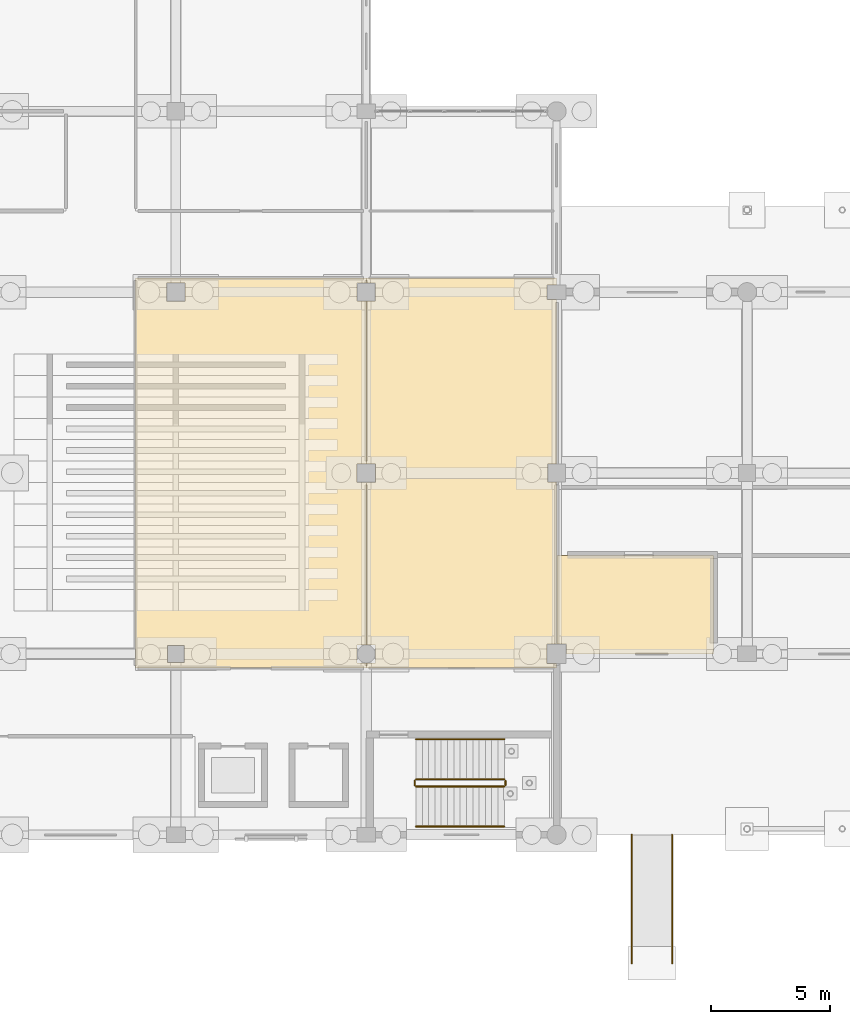
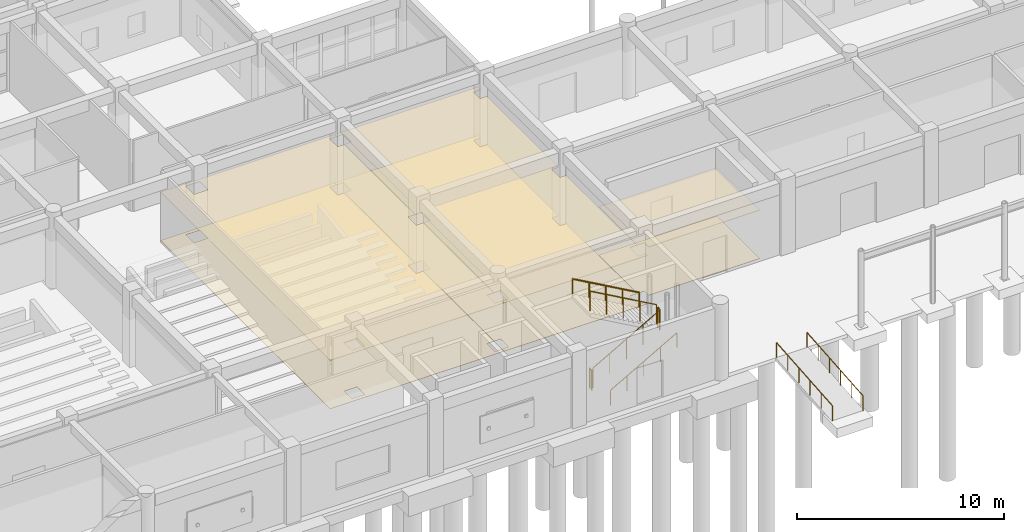
# One storey, part 152 of 166: 8 railings, 6 coverings.
"""IFC4 building model written with IfcOpenShell, lengths in metres."""

import ifcopenshell
import ifcopenshell.guid

model = None  # the IFC model being written
_history = None  # IfcOwnerHistory: only IFC2X3 demands one
_inside = {}  # id of a spatial element -> (the spatial element, [elements in it])
_under = {}  # id of a project, library or spatial element -> (it, [spatial elements below it])
_declared = {}  # id of a project -> (the project, [libraries it declares])
_typed = {}  # id of a type object -> (the type object, [elements of that type])
_made_of = {}  # id of a material, layer set ... -> (it, [elements and type objects made of it])


def new_model(schema):
    """Start an empty IFC model of exactly this schema.

    Asked for "IFC4X3", IfcOpenShell would pick the latest addendum, in which some entities
    have other attributes; the version numbers below select the first issue.
    IFC2X3 requires an IfcOwnerHistory on every rooted entity: one is made here for all.
    """
    global model, _history
    if schema == "IFC4X3":
        model = ifcopenshell.file(schema_version=(4, 3, 0, 0))
    else:
        model = ifcopenshell.file(schema=schema)
    _inside.clear()
    _under.clear()
    _declared.clear()
    _typed.clear()
    _made_of.clear()
    _history = None
    if model.schema == "IFC2X3":
        org = make("IfcOrganization", Name="unknown")
        user = make(
            "IfcPersonAndOrganization",
            ThePerson=make("IfcPerson", FamilyName="unknown"),
            TheOrganization=org,
        )
        app = make(
            "IfcApplication",
            ApplicationDeveloper=org,
            Version="unknown",
            ApplicationFullName="unknown",
            ApplicationIdentifier="unknown",
        )
        _history = make(
            "IfcOwnerHistory",
            OwningUser=user,
            OwningApplication=app,
            ChangeAction="ADDED",
            CreationDate=0,
        )
    return model


def make(cls, **values):
    """One entity of the class cls with the attributes given. An attribute that is None is left unset."""
    return model.create_entity(
        cls, **{name: value for name, value in values.items() if value is not None}
    )


def rooted(cls, **values):
    """An entity with a GlobalId (a new one), such as an element, a storey or a relation."""
    return make(cls, GlobalId=ifcopenshell.guid.new(), OwnerHistory=_history, **values)


def si_unit(unit_type, name, prefix=None):
    """IfcSIUnit, for example si_unit("LENGTHUNIT", "METRE", prefix="MILLI")."""
    return make("IfcSIUnit", UnitType=unit_type, Prefix=prefix, Name=name)


def assignment(units):
    """IfcUnitAssignment: the units of a project."""
    return None if units is None else make("IfcUnitAssignment", Units=units)


def point(xyz):
    """IfcCartesianPoint."""
    return None if xyz is None else make("IfcCartesianPoint", Coordinates=xyz)


def direction(xyz):
    """IfcDirection."""
    return None if xyz is None else make("IfcDirection", DirectionRatios=xyz)


def frame(location, z_axis=None, x_axis=None):
    """IfcAxis2Placement3D, a coordinate frame: its origin and axes. An axis left out is left unset."""
    return make(
        "IfcAxis2Placement3D",
        Location=point(location),
        Axis=direction(z_axis),
        RefDirection=direction(x_axis),
    )


def frame_2d(location, x_axis=None):
    """IfcAxis2Placement2D, a coordinate frame in the plane: its origin and x axis."""
    return make(
        "IfcAxis2Placement2D", Location=point(location), RefDirection=direction(x_axis)
    )


def origin():
    """The frame at (0, 0, 0) with its axes left unset."""
    return frame((0.0, 0.0, 0.0))


def origin_2d():
    """The frame at (0, 0) in the plane with its x axis left unset."""
    return frame_2d((0.0, 0.0))


def place(relative_to, where):
    """IfcLocalPlacement: puts the frame where relative to a parent placement (None: the world)."""
    return make(
        "IfcLocalPlacement", PlacementRelTo=relative_to, RelativePlacement=where
    )


def context(
    kind, dimensions, precision=None, world=None, true_north=None, identifier=None
):
    """IfcGeometricRepresentationContext, for example the 3D "Model" context."""
    return make(
        "IfcGeometricRepresentationContext",
        ContextIdentifier=identifier,
        ContextType=kind,
        CoordinateSpaceDimension=dimensions,
        Precision=precision,
        WorldCoordinateSystem=world,
        TrueNorth=true_north,
    )


def subcontext(parent, identifier, kind, view, scale=None):
    """IfcGeometricRepresentationSubContext, for example "Body" below "Model"."""
    return make(
        "IfcGeometricRepresentationSubContext",
        ContextIdentifier=identifier,
        ContextType=kind,
        ParentContext=parent,
        TargetScale=scale,
        TargetView=view,
    )


def project(units=None, contexts=None):
    """IfcProject with its units and contexts."""
    return rooted(
        "IfcProject",
        Name="project",
        RepresentationContexts=contexts,
        UnitsInContext=assignment(units),
    )


def spatial(cls, under=None, at=None, **own):
    """A site, building, storey or space (cls), placed at a placement, below another one or the project."""
    s = rooted(cls, ObjectPlacement=at, **own)
    if under is not None:
        _under.setdefault(under.id(), (under, []))[1].append(s)
    return s


def polyline(points):
    """IfcPolyline through the points."""
    return make("IfcPolyline", Points=[point(p) for p in points])


def profile(cls, at=None, kind="AREA", **sizes):
    """A parametric profile (cls). Its sizes go by their IFC names, for example OverallWidth=200.0."""
    return make(cls, ProfileType=kind, Position=at, **sizes)


def circle(**sizes):
    """IfcCircleProfileDef."""
    return profile("IfcCircleProfileDef", **sizes)


def outline(outer, holes=None, kind="AREA"):
    """IfcArbitraryClosedProfileDef: a profile drawn as a closed curve; with holes, ...WithVoids."""
    if holes is None:
        return make("IfcArbitraryClosedProfileDef", ProfileType=kind, OuterCurve=outer)
    return make(
        "IfcArbitraryProfileDefWithVoids",
        ProfileType=kind,
        OuterCurve=outer,
        InnerCurves=holes,
    )


def extrude(swept, where, along, depth):
    """IfcExtrudedAreaSolid: the profile swept, set in the frame where, extruded along a direction by depth."""
    return make(
        "IfcExtrudedAreaSolid",
        SweptArea=swept,
        Position=where,
        ExtrudedDirection=direction(along),
        Depth=depth,
    )


def shape(context_of_items, identifier, shape_type, items):
    """IfcShapeRepresentation: the items that make up one representation, for example the "Body"."""
    return make(
        "IfcShapeRepresentation",
        ContextOfItems=context_of_items,
        RepresentationIdentifier=identifier,
        RepresentationType=shape_type,
        Items=items,
    )


def material(Name=None, Category=None):
    """IfcMaterial."""
    return make("IfcMaterial", Name=Name, Category=Category)


def layer(
    of_material, thickness, ventilated=None, Name=None, Category=None, Priority=None
):
    """IfcMaterialLayer: one layer of a wall or slab, of a material (None: an air gap)."""
    return make(
        "IfcMaterialLayer",
        Material=of_material,
        LayerThickness=thickness,
        IsVentilated=ventilated,
        Name=Name,
        Category=Category,
        Priority=Priority,
    )


def layer_set(layers, Name=None):
    """IfcMaterialLayerSet."""
    return make("IfcMaterialLayerSet", MaterialLayers=layers, LayerSetName=Name)


def made_of(thing, what):
    """Note that an element or type object is made of a material, layer set ...; save() writes the relation."""
    if what is not None:
        _made_of.setdefault(what.id(), (what, []))[1].append(thing)
    return thing


def type_object(cls, material=None, **own):
    """A type object (cls), such as IfcWallType, which elements share."""
    return made_of(rooted(cls, **own), material)


def element(
    cls,
    number,
    at=None,
    inside=None,
    cuts=None,
    type_object=None,
    material=None,
    context=None,
    identifier="Body",
    shape_type=None,
    held_by="IfcProductDefinitionShape",
    body=None,
    shapes=None,
    **own,
):
    """One element of the class cls, such as IfcWall. Its Tag is "e" and its number.

    at: its placement. inside: the storey or other place that contains it. cuts: it is an
    opening in that element (IfcRelVoidsElement). A single representation is given by context,
    identifier, shape_type and body (its items); several are given by shapes. held_by: the class
    of the entity that holds the representations. save() writes the other relations.
    """
    e = rooted(cls, Tag="e%d" % number, ObjectPlacement=at, **own)
    if body is not None:
        shapes = [shape(context, identifier, shape_type, body)]
    if shapes is not None:
        e.Representation = make(held_by, Representations=shapes)
    if inside is not None:
        _inside.setdefault(inside.id(), (inside, []))[1].append(e)
    if cuts is not None:
        rooted(
            "IfcRelVoidsElement", RelatingBuildingElement=cuts, RelatedOpeningElement=e
        )
    if type_object is not None:
        _typed.setdefault(type_object.id(), (type_object, []))[1].append(e)
    return made_of(e, material)


def aggregate(whole, parts):
    """IfcRelAggregates: a whole, such as a stair, and the parts it consists of."""
    return rooted("IfcRelAggregates", RelatingObject=whole, RelatedObjects=parts)


def save(model, path):
    """Write the relations noted so far, then the file.

    IfcRelAggregates (storeys below a building ...), IfcRelContainedInSpatialStructure (elements
    in a storey), IfcRelDefinesByType, IfcRelAssociatesMaterial and IfcRelDeclares: one each for
    every whole, place, type object, material and project.
    """
    for whole, parts in _under.values():
        aggregate(whole, parts)
    for where, things in _inside.values():
        rooted(
            "IfcRelContainedInSpatialStructure",
            RelatedElements=things,
            RelatingStructure=where,
        )
    for kind, things in _typed.values():
        rooted("IfcRelDefinesByType", RelatedObjects=things, RelatingType=kind)
    for what, things in _made_of.values():
        rooted("IfcRelAssociatesMaterial", RelatedObjects=things, RelatingMaterial=what)
    for by, libraries in _declared.values():
        rooted("IfcRelDeclares", RelatingContext=by, RelatedDefinitions=libraries)
    model.write(path)


model = new_model("IFC4")

# Units and contexts
model_context = context("Model", 3, precision=1e-05, world=origin(), true_north=direction((0.0, 1.0)))
body_context = subcontext(model_context, "Body", "Model", "MODEL_VIEW")
ifc_project = project(units=[si_unit("LENGTHUNIT", "METRE"), si_unit("AREAUNIT", "SQUARE_METRE"), si_unit("VOLUMEUNIT", "CUBIC_METRE"), si_unit("PLANEANGLEUNIT", "RADIAN"), si_unit("MASSUNIT", "GRAM", prefix="KILO")], contexts=[model_context])

# Site, building, storey
site_placement = place(None, origin())
site = spatial("IfcSite", under=ifc_project, at=site_placement, CompositionType="ELEMENT")
building_placement = place(site_placement, origin())
building = spatial("IfcBuilding", under=site, at=building_placement, Name="Kharva Crest Polytechnic", CompositionType="ELEMENT")
storey_placement = place(building_placement, origin())
storey = spatial("IfcBuildingStorey", under=building, at=storey_placement, Name="L00", CompositionType="ELEMENT", Elevation=0.0)

# Coverings
ifc_material_1 = material(Name="Acoustic mineral board")
ifc_layer_1 = layer(ifc_material_1, 0.02490234375, Name="Acoustic mineral board")
ifc_layer_set_1 = layer_set([ifc_layer_1], Name="Acoustic mineral board")
covering_type_1 = type_object("IfcCoveringType", Name="COV-CLG-ACOUSTIC", PredefinedType="CEILING", material=ifc_layer_set_1)
covering_1_placement = place(storey_placement, frame((0.0, 0.0, 2.85009765625)))
element("IfcCovering", 1, at=covering_1_placement, inside=storey, type_object=covering_type_1, Name="L00 Lecture Theatre 3 Acoustic Ceiling", PredefinedType="CEILING", context=body_context, shape_type="SweptSolid", body=[
    extrude(outline(polyline([(48.0, 23.179931640625), (47.6201171875, 23.179931640625), (47.6201171875, 22.419921875), (48.0, 22.419921875), (48.0, 15.590087890625), (47.610107421875, 15.590087890625), (47.610107421875, 14.81005859375), (48.0, 14.81005859375), (48.0, 7.985107421875), (47.614990234375, 7.985107421875), (47.614990234375, 7.215087890625), (48.0, 7.215087890625), (48.0, 7.010009765625), (38.31005859375, 7.010009765625), (38.31005859375, 23.389892578125), (48.0, 23.389892578125), (48.0, 23.179931640625)]), holes=[polyline([(39.639892578125, 7.9599609375), (39.639892578125, 7.239990234375), (40.360107421875, 7.239990234375), (40.360107421875, 7.9599609375), (39.639892578125, 7.9599609375)]), polyline([(40.389892578125, 23.18994140625), (39.610107421875, 23.18994140625), (39.610107421875, 22.409912109375), (40.389892578125, 22.409912109375), (40.389892578125, 23.18994140625)])]), origin(), (0.0, 0.0, 1.0), 0.02490234375),
])
covering_2_placement = place(storey_placement, frame((0.0, 0.0, 2.85009765625)))
element("IfcCovering", 2, at=covering_2_placement, inside=storey, type_object=covering_type_1, Name="L00 AV Preparation Seminar Room Acoustic Ceiling", PredefinedType="CEILING", context=body_context, shape_type="SweptSolid", body=[
    extrude(outline(polyline([(48.385009765625, 7.215087890625), (48.385009765625, 7.985107421875), (48.010009765625, 7.985107421875), (48.010009765625, 14.81005859375), (48.389892578125, 14.81005859375), (48.389892578125, 15.590087890625), (48.010009765625, 15.590087890625), (48.010009765625, 22.419921875), (48.3798828125, 22.419921875), (48.3798828125, 23.179931640625), (48.010009765625, 23.179931640625), (48.010009765625, 23.389892578125), (56.0, 23.389892578125), (56.0, 23.110107421875), (55.60009765625, 23.110107421875), (55.60009765625, 22.489990234375), (56.0, 22.489990234375), (56.0, 15.580078125), (55.6201171875, 15.580078125), (55.6201171875, 14.820068359375), (56.0, 14.820068359375), (56.0, 14.610107421875), (55.9990234375, 14.610107421875), (55.998046875, 14.60986328125), (55.9970703125, 14.609619140625), (55.99609375, 14.609130859375), (55.995361328125, 14.60888671875), (55.994384765625, 14.6083984375), (55.99365234375, 14.607666015625), (55.992919921875, 14.607177734375), (55.9921875, 14.606201171875), (55.99169921875, 14.605712890625), (55.9912109375, 14.604736328125), (55.99072265625, 14.603759765625), (55.990478515625, 14.602783203125), (55.990234375, 14.60205078125), (55.989990234375, 14.60107421875), (55.989990234375, 14.60009765625), (55.989990234375, 11.75), (55.989990234375, 11.7490234375), (55.990234375, 11.748046875), (55.990478515625, 11.7470703125), (55.99072265625, 11.74609375), (55.9912109375, 11.745361328125), (55.99169921875, 11.744384765625), (55.9921875, 11.74365234375), (55.992919921875, 11.742919921875), (55.99365234375, 11.7421875), (55.994384765625, 11.74169921875), (55.995361328125, 11.7412109375), (55.99609375, 11.74072265625), (55.9970703125, 11.740478515625), (55.998046875, 11.740234375), (55.9990234375, 11.739990234375), (56.0, 11.739990234375), (56.0, 8.010009765625), (55.590087890625, 8.010009765625), (55.590087890625, 7.18994140625), (56.0, 7.18994140625), (56.0, 7.010009765625), (48.010009765625, 7.010009765625), (48.010009765625, 7.215087890625), (48.385009765625, 7.215087890625)])), origin(), (0.0, 0.0, 1.0), 0.02490234375),
])
covering_3_placement = place(storey_placement, frame((0.0, 0.0, 2.85009765625)))
element("IfcCovering", 3, at=covering_3_placement, inside=storey, type_object=covering_type_1, Name="L00 Fire Command Centre Acoustic Ceiling", PredefinedType="CEILING", context=body_context, shape_type="SweptSolid", body=[
    extrude(outline(polyline([(62.60009765625, 7.60009765625), (56.409912109375, 7.60009765625), (56.409912109375, 8.010009765625), (56.010009765625, 8.010009765625), (56.010009765625, 11.739990234375), (62.60009765625, 11.739990234375), (62.60009765625, 7.60009765625)])), origin(), (0.0, 0.0, 1.0), 0.02490234375),
])
ifc_material_2 = material(Name="Terrazzo tile")
ifc_layer_2 = layer(ifc_material_2, 0.02001953125, Name="Terrazzo tile")
ifc_layer_set_2 = layer_set([ifc_layer_2], Name="Terrazzo tile")
covering_type_2 = type_object("IfcCoveringType", Name="COV-FLR-TERRAZZO", PredefinedType="FLOORING", material=ifc_layer_set_2)
covering_4_placement = place(storey_placement, origin())
element("IfcCovering", 4, at=covering_4_placement, inside=storey, type_object=covering_type_2, Name="L00 Lecture Theatre 3 Terrazzo Flooring", PredefinedType="FLOORING", context=body_context, shape_type="SweptSolid", body=[
    extrude(outline(polyline([(48.0, 23.179931640625), (47.6201171875, 23.179931640625), (47.6201171875, 22.419921875), (48.0, 22.419921875), (48.0, 15.590087890625), (47.610107421875, 15.590087890625), (47.610107421875, 14.81005859375), (48.0, 14.81005859375), (48.0, 7.985107421875), (47.614990234375, 7.985107421875), (47.614990234375, 7.215087890625), (48.0, 7.215087890625), (48.0, 7.010009765625), (38.31005859375, 7.010009765625), (38.31005859375, 23.389892578125), (48.0, 23.389892578125), (48.0, 23.179931640625)]), holes=[polyline([(39.639892578125, 7.9599609375), (39.639892578125, 7.239990234375), (40.360107421875, 7.239990234375), (40.360107421875, 7.9599609375), (39.639892578125, 7.9599609375)]), polyline([(40.389892578125, 23.18994140625), (39.610107421875, 23.18994140625), (39.610107421875, 22.409912109375), (40.389892578125, 22.409912109375), (40.389892578125, 23.18994140625)])]), origin(), (0.0, 0.0, 1.0), 0.02001953125),
])
covering_5_placement = place(storey_placement, origin())
element("IfcCovering", 5, at=covering_5_placement, inside=storey, type_object=covering_type_2, Name="L00 AV Preparation Seminar Room Terrazzo Flooring", PredefinedType="FLOORING", context=body_context, shape_type="SweptSolid", body=[
    extrude(outline(polyline([(48.385009765625, 7.215087890625), (48.385009765625, 7.985107421875), (48.010009765625, 7.985107421875), (48.010009765625, 14.81005859375), (48.389892578125, 14.81005859375), (48.389892578125, 15.590087890625), (48.010009765625, 15.590087890625), (48.010009765625, 22.419921875), (48.3798828125, 22.419921875), (48.3798828125, 23.179931640625), (48.010009765625, 23.179931640625), (48.010009765625, 23.389892578125), (56.0, 23.389892578125), (56.0, 23.110107421875), (55.60009765625, 23.110107421875), (55.60009765625, 22.489990234375), (56.0, 22.489990234375), (56.0, 15.580078125), (55.6201171875, 15.580078125), (55.6201171875, 14.820068359375), (56.0, 14.820068359375), (56.0, 14.610107421875), (55.9990234375, 14.610107421875), (55.998046875, 14.60986328125), (55.9970703125, 14.609619140625), (55.99609375, 14.609130859375), (55.995361328125, 14.60888671875), (55.994384765625, 14.6083984375), (55.99365234375, 14.607666015625), (55.992919921875, 14.607177734375), (55.9921875, 14.606201171875), (55.99169921875, 14.605712890625), (55.9912109375, 14.604736328125), (55.99072265625, 14.603759765625), (55.990478515625, 14.602783203125), (55.990234375, 14.60205078125), (55.989990234375, 14.60107421875), (55.989990234375, 14.60009765625), (55.989990234375, 11.75), (55.989990234375, 11.7490234375), (55.990234375, 11.748046875), (55.990478515625, 11.7470703125), (55.99072265625, 11.74609375), (55.9912109375, 11.745361328125), (55.99169921875, 11.744384765625), (55.9921875, 11.74365234375), (55.992919921875, 11.742919921875), (55.99365234375, 11.7421875), (55.994384765625, 11.74169921875), (55.995361328125, 11.7412109375), (55.99609375, 11.74072265625), (55.9970703125, 11.740478515625), (55.998046875, 11.740234375), (55.9990234375, 11.739990234375), (56.0, 11.739990234375), (56.0, 8.010009765625), (55.590087890625, 8.010009765625), (55.590087890625, 7.18994140625), (56.0, 7.18994140625), (56.0, 7.010009765625), (48.010009765625, 7.010009765625), (48.010009765625, 7.215087890625), (48.385009765625, 7.215087890625)])), origin(), (0.0, 0.0, 1.0), 0.02001953125),
])
covering_6_placement = place(storey_placement, origin())
element("IfcCovering", 6, at=covering_6_placement, inside=storey, type_object=covering_type_2, Name="L00 Fire Command Centre Terrazzo Flooring", PredefinedType="FLOORING", context=body_context, shape_type="SweptSolid", body=[
    extrude(outline(polyline([(62.60009765625, 7.60009765625), (56.409912109375, 7.60009765625), (56.409912109375, 8.010009765625), (56.010009765625, 8.010009765625), (56.010009765625, 11.739990234375), (62.60009765625, 11.739990234375), (62.60009765625, 7.60009765625)])), origin(), (0.0, 0.0, 1.0), 0.02001953125),
])

# Railings
ifc_material_3 = material(Name="Anodised aluminium", Category="aluminium")
railing_type_1 = type_object("IfcRailingType", Name="RL-STAIR-GUARD-1200", PredefinedType="GUARDRAIL", material=ifc_material_3)
railing_1_placement = place(storey_placement, frame((50.090087890625, 2.030029296875, 0.14990234375)))
element("IfcRailing", 7, at=railing_1_placement, inside=storey, type_object=railing_type_1, Name="L00 ST-01 stair guard 1", PredefinedType="GUARDRAIL", context=body_context, shape_type="SweptSolid", body=[
    extrude(circle(Radius=0.02392578125, at=origin_2d()), frame((0.0, 0.0, 1.17578125), z_axis=(0.870244811389, 0.0, 0.492619496418), x_axis=(0.0, 1.0, 0.0)), (0.0, 0.0, 1.0), 4.26318359375),
    extrude(circle(Radius=0.02099609375, at=origin_2d()), origin(), (0.0, 0.0, 1.0), 1.15185546875),
    extrude(circle(Radius=0.02099609375, at=origin_2d()), frame((0.927490234375, 0.0, 0.52490234375)), (0.0, 0.0, 1.0), 1.15185546875),
    extrude(circle(Radius=0.02099609375, at=origin_2d()), frame((1.85498046875, 0.0, 1.050048828125)), (0.0, 0.0, 1.0), 1.15185546875),
    extrude(circle(Radius=0.02099609375, at=origin_2d()), frame((2.782470703125, 0.0, 1.5751953125)), (0.0, 0.0, 1.0), 1.15185546875),
    extrude(circle(Radius=0.02099609375, at=origin_2d()), frame((3.7099609375, 0.0, 2.10009765625)), (0.0, 0.0, 1.0), 1.15185546875),
])
railing_2_placement = place(storey_placement, frame((53.85009765625, 2.080078125, 2.25)))
element("IfcRailing", 8, at=railing_2_placement, inside=storey, type_object=railing_type_1, Name="L00 ST-01 stair guard 2", PredefinedType="GUARDRAIL", context=body_context, shape_type="SweptSolid", body=[
    extrude(circle(Radius=0.02392578125, at=origin_2d()), frame((0.0, 0.0, 1.17578125), z_axis=(0.0, 1.0, 0.0), x_axis=(-1.0, 0.0, 0.0)), (0.0, 0.0, 1.0), 0.199951171875),
    extrude(circle(Radius=0.02099609375, at=origin_2d()), origin(), (0.0, 0.0, 1.0), 1.15185546875),
    extrude(circle(Radius=0.02099609375, at=origin_2d()), frame((0.0, 0.199951171875, 0.0)), (0.0, 0.0, 1.0), 1.15185546875),
])
railing_3_placement = place(storey_placement, frame((53.800048828125, 2.330078125, 2.39990234375)))
element("IfcRailing", 9, at=railing_3_placement, inside=storey, type_object=railing_type_1, Name="L00 ST-01 stair guard 3", PredefinedType="GUARDRAIL", context=body_context, shape_type="SweptSolid", body=[
    extrude(circle(Radius=0.02392578125, at=origin_2d()), frame((0.0, 0.0, 1.17578125), z_axis=(-0.870244811389, 0.0, 0.492619496418), x_axis=(0.0, -1.0, 0.0)), (0.0, 0.0, 1.0), 4.26318359375),
    extrude(circle(Radius=0.02099609375, at=origin_2d()), origin(), (0.0, 0.0, 1.0), 1.15185546875),
    extrude(circle(Radius=0.02099609375, at=origin_2d()), frame((-0.927490234375, 0.0, 0.52490234375)), (0.0, 0.0, 1.0), 1.15185546875),
    extrude(circle(Radius=0.02099609375, at=origin_2d()), frame((-1.85498046875, 0.0, 1.050048828125)), (0.0, 0.0, 1.0), 1.15185546875),
    extrude(circle(Radius=0.02099609375, at=origin_2d()), frame((-2.782470703125, 0.0, 1.5751953125)), (0.0, 0.0, 1.0), 1.15185546875),
    extrude(circle(Radius=0.02099609375, at=origin_2d()), frame((-3.7099609375, 0.0, 2.10009765625)), (0.0, 0.0, 1.0), 1.15185546875),
])
railing_4_placement = place(storey_placement, frame((50.0400390625, 2.080078125, 0.0)))
element("IfcRailing", 10, at=railing_4_placement, inside=storey, type_object=railing_type_1, Name="L00 ST-01 stair guard 4", PredefinedType="GUARDRAIL", context=body_context, shape_type="SweptSolid", body=[
    extrude(circle(Radius=0.02392578125, at=origin_2d()), frame((0.0, 0.0, 1.17578125), z_axis=(0.0, 1.0, 0.0), x_axis=(-1.0, 0.0, 0.0)), (0.0, 0.0, 1.0), 0.199951171875),
    extrude(circle(Radius=0.02099609375, at=origin_2d()), origin(), (0.0, 0.0, 1.0), 1.15185546875),
    extrude(circle(Radius=0.02099609375, at=origin_2d()), frame((0.0, 0.199951171875, 0.0)), (0.0, 0.0, 1.0), 1.15185546875),
])
ifc_material_4 = material(Name="Teak timber", Category="wood")
railing_type_2 = type_object("IfcRailingType", Name="RL-STAIR-HAND-900", PredefinedType="HANDRAIL", material=ifc_material_4)
railing_5_placement = place(storey_placement, frame((50.090087890625, 0.35009765625, 0.14990234375)))
element("IfcRailing", 11, at=railing_5_placement, inside=storey, type_object=railing_type_2, Name="L00 ST-01 stair handrail 1", PredefinedType="HANDRAIL", context=body_context, shape_type="SweptSolid", body=[
    extrude(circle(Radius=0.02392578125, at=origin_2d()), frame((0.0, 0.0, 0.8759765625), z_axis=(0.870244811389, 0.0, 0.492619496418), x_axis=(0.0, 1.0, 0.0)), (0.0, 0.0, 1.0), 4.26318359375),
    extrude(circle(Radius=0.02099609375, at=origin_2d()), origin(), (0.0, 0.0, 1.0), 0.851806640625),
    extrude(circle(Radius=0.02099609375, at=origin_2d()), frame((0.927490234375, 0.0, 0.52490234375)), (0.0, 0.0, 1.0), 0.851806640625),
    extrude(circle(Radius=0.02099609375, at=origin_2d()), frame((1.85498046875, 0.0, 1.050048828125)), (0.0, 0.0, 1.0), 0.851806640625),
    extrude(circle(Radius=0.02099609375, at=origin_2d()), frame((2.782470703125, 0.0, 1.5751953125)), (0.0, 0.0, 1.0), 0.851806640625),
    extrude(circle(Radius=0.02099609375, at=origin_2d()), frame((3.7099609375, 0.0, 2.10009765625)), (0.0, 0.0, 1.0), 0.851806640625),
])
railing_6_placement = place(storey_placement, frame((53.800048828125, 4.010009765625, 2.39990234375)))
element("IfcRailing", 12, at=railing_6_placement, inside=storey, type_object=railing_type_2, Name="L00 ST-01 stair handrail 2", PredefinedType="HANDRAIL", context=body_context, shape_type="SweptSolid", body=[
    extrude(circle(Radius=0.02392578125, at=origin_2d()), frame((0.0, 0.0, 0.8759765625), z_axis=(-0.870244811389, 0.0, 0.492619496418), x_axis=(0.0, -1.0, 0.0)), (0.0, 0.0, 1.0), 4.26318359375),
    extrude(circle(Radius=0.02099609375, at=origin_2d()), origin(), (0.0, 0.0, 1.0), 0.851806640625),
    extrude(circle(Radius=0.02099609375, at=origin_2d()), frame((-0.927490234375, 0.0, 0.52490234375)), (0.0, 0.0, 1.0), 0.851806640625),
    extrude(circle(Radius=0.02099609375, at=origin_2d()), frame((-1.85498046875, 0.0, 1.050048828125)), (0.0, 0.0, 1.0), 0.851806640625),
    extrude(circle(Radius=0.02099609375, at=origin_2d()), frame((-2.782470703125, 0.0, 1.5751953125)), (0.0, 0.0, 1.0), 0.851806640625),
    extrude(circle(Radius=0.02099609375, at=origin_2d()), frame((-3.7099609375, 0.0, 2.10009765625)), (0.0, 0.0, 1.0), 0.851806640625),
])
for number, where, name in (
    (13, (59.14990234375, -5.39990234375, -0.449951171875), "South Street West Accessible Ramp Handrail L"),
    (14, (60.85009765625, -5.39990234375, -0.449951171875), "South Street West Accessible Ramp Handrail R"),
):
    element("IfcRailing", number, at=place(storey_placement, frame(where)), inside=storey, type_object=railing_type_2, Name=name, PredefinedType="HANDRAIL", context=body_context, shape_type="SweptSolid", body=[
        extrude(circle(Radius=0.02392578125, at=origin_2d()), frame((0.0, 0.0, 0.8759765625), z_axis=(0.0, 0.996546379678, 0.083038022323), x_axis=(-1.0, 0.0, 0.0)), (0.0, 0.0, 1.0), 5.418701171875),
        extrude(circle(Radius=0.02099609375, at=origin_2d()), origin(), (0.0, 0.0, 1.0), 0.851806640625),
        extrude(circle(Radius=0.02099609375, at=origin_2d()), frame((0.0, 1.080078125, 0.090087890625)), (0.0, 0.0, 1.0), 0.851806640625),
        extrude(circle(Radius=0.02099609375, at=origin_2d()), frame((0.0, 2.159912109375, 0.179931640625)), (0.0, 0.0, 1.0), 0.851806640625),
        extrude(circle(Radius=0.02099609375, at=origin_2d()), frame((0.0, 3.239990234375, 0.27001953125)), (0.0, 0.0, 1.0), 0.851806640625),
        extrude(circle(Radius=0.02099609375, at=origin_2d()), frame((0.0, 4.31982421875, 0.35986328125)), (0.0, 0.0, 1.0), 0.851806640625),
        extrude(circle(Radius=0.02099609375, at=origin_2d()), frame((0.0, 5.39990234375, 0.449951171875)), (0.0, 0.0, 1.0), 0.851806640625),
    ])

save(model, "model.ifc")
